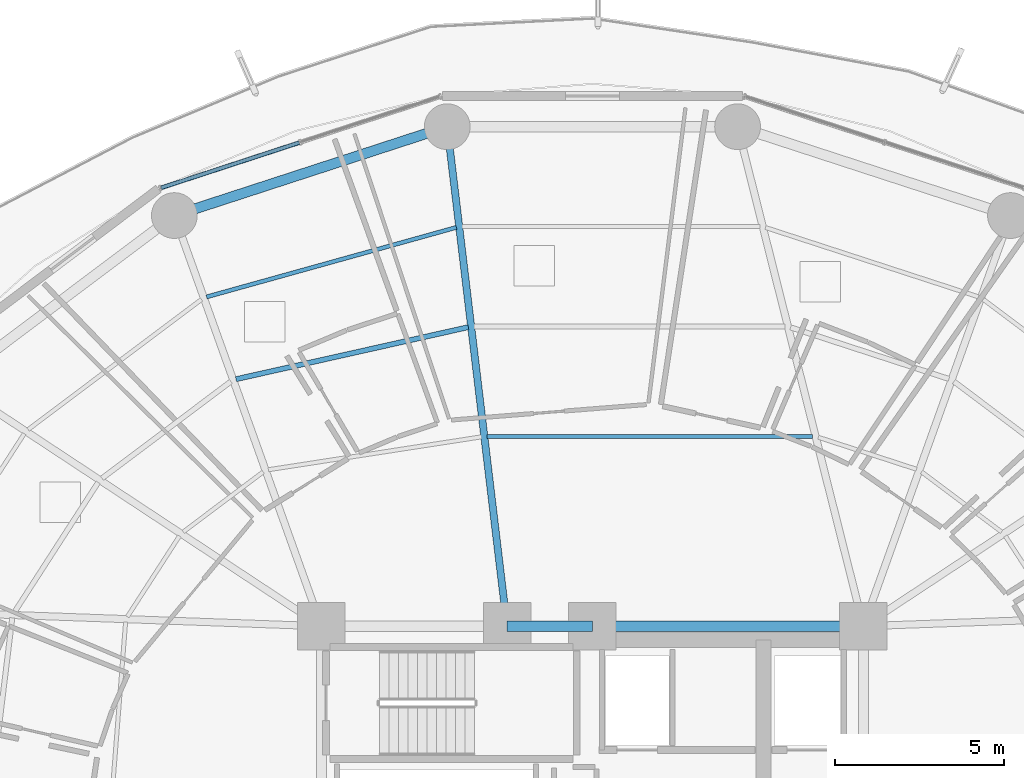
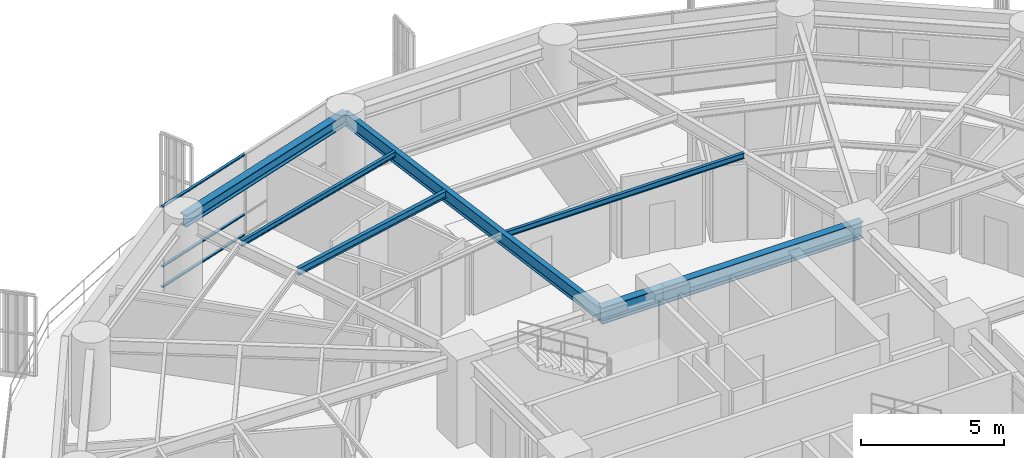
# One storey, part 18 of 33: 7 beams, 3 members, 1 element without a shape of its own.
"""IFC4 building model written with IfcOpenShell, lengths in metres."""

from ifc_helpers import new_model, si_unit, direction, frame, origin, origin_2d, place, context, subcontext, project, spatial, hollow_rectangle, i_section, extrude, material, layer, layer_set, material_profile, profile_set, type_object, element, aggregate, save


model = new_model("IFC4")

# Units and contexts
model_context = context("Model", 3, precision=1e-05, world=origin(), true_north=direction((0.0, 1.0)))
body_context = subcontext(model_context, "Body", "Model", "MODEL_VIEW")
ifc_project = project(units=[si_unit("LENGTHUNIT", "METRE"), si_unit("AREAUNIT", "SQUARE_METRE"), si_unit("VOLUMEUNIT", "CUBIC_METRE"), si_unit("PLANEANGLEUNIT", "RADIAN"), si_unit("MASSUNIT", "GRAM", prefix="KILO")], contexts=[model_context])

# Site, building, storey
site_placement = place(None, origin())
site = spatial("IfcSite", under=ifc_project, at=site_placement, CompositionType="ELEMENT")
building_placement = place(site_placement, origin())
building = spatial("IfcBuilding", under=site, at=building_placement, Name="Kelanora Arch Commons", CompositionType="ELEMENT")
storey_placement = place(building_placement, frame((0.0, 0.0, 83.85009765625)))
storey = spatial("IfcBuildingStorey", under=building, at=storey_placement, Name="L21", CompositionType="ELEMENT", Elevation=83.85009765625)

# Beams
ifc_material_1 = material(Name="Steel S355", Category="steel")
ifc_material_profile_1 = material_profile(ifc_material_1, i_section(OverallWidth=0.300048828125, OverallDepth=0.699951171875, WebThickness=0.01708984375, FlangeThickness=0.031982421875, FilletRadius=0.027099609375, at=origin_2d()), Name="HEB700")
ifc_profile_set_1 = profile_set([ifc_material_profile_1], Name="Steel S355")
beam_type_1 = type_object("IfcBeamType", Name="BM-CORE-HDR", PredefinedType="BEAM", material=ifc_profile_set_1)
beam_1_placement = place(storey_placement, frame((82.0, 65.0, 3.139892578125), z_axis=(-1.0, 0.0, 0.0), x_axis=(0.0, -1.0, 0.0)))
element("IfcBeam", 1, at=beam_1_placement, inside=storey, type_object=beam_type_1, Name="Core Header Beam 05 L21", PredefinedType="BEAM", context=body_context, shape_type="SweptSolid", body=[
    extrude(i_section(OverallWidth=0.300048828125, OverallDepth=0.699951171875, WebThickness=0.01708984375, FlangeThickness=0.031982421875, FilletRadius=0.027099609375, at=origin_2d()), origin(), (0.0, 0.0, 1.0), 8.0),
])
beam_2_placement = place(storey_placement, frame((74.0, 65.0, 3.139892578125), z_axis=(-1.0, 0.0, 0.0), x_axis=(0.0, -1.0, 0.0)))
element("IfcBeam", 2, at=beam_2_placement, inside=storey, type_object=beam_type_1, Name="Core Header Beam 06 L21", PredefinedType="BEAM", context=body_context, shape_type="SweptSolid", body=[
    extrude(i_section(OverallWidth=0.300048828125, OverallDepth=0.699951171875, WebThickness=0.01708984375, FlangeThickness=0.031982421875, FilletRadius=0.027099609375, at=origin_2d()), origin(), (0.0, 0.0, 1.0), 2.52001953125),
])
ifc_material_profile_2 = material_profile(ifc_material_1, i_section(OverallWidth=0.14990234375, OverallDepth=0.300048828125, WebThickness=0.007080078125, FlangeThickness=0.0107421875, FilletRadius=0.014892578125, at=origin_2d()), Name="IPE300")
ifc_profile_set_2 = profile_set([ifc_material_profile_2], Name="Steel S355")
beam_type_2 = type_object("IfcBeamType", Name="BM-JST-01", PredefinedType="JOIST", material=ifc_profile_set_2)
beam_3_placement = place(storey_placement, frame((70.337646484375, 73.828125, 3.33984375), z_axis=(-0.975817048791, -0.218588854449, 0.0), x_axis=(0.218588854449, -0.975817048791, 0.0)))
element("IfcBeam", 3, at=beam_3_placement, inside=storey, type_object=beam_type_2, Name="Secondary Chord Joist BJB-10 L21", PredefinedType="JOIST", context=body_context, shape_type="SweptSolid", body=[
    extrude(i_section(OverallWidth=0.14990234375, OverallDepth=0.300048828125, WebThickness=0.007080078125, FlangeThickness=0.0107421875, FilletRadius=0.014892578125, at=origin_2d()), origin(), (0.0, 0.0, 1.0), 7.028564453125),
])
ifc_material_profile_3 = material_profile(ifc_material_1, i_section(OverallWidth=0.1201171875, OverallDepth=0.239990234375, WebThickness=0.006103515625, FlangeThickness=0.009765625, FilletRadius=0.014892578125, at=origin_2d()), Name="IPE240")
ifc_profile_set_3 = profile_set([ifc_material_profile_3], Name="Steel S355")
beam_type_3 = type_object("IfcBeamType", Name="BM-JST-02", PredefinedType="JOIST", material=ifc_profile_set_3)
beam_4_placement = place(storey_placement, frame((80.50341796875, 70.602783203125, 3.369873046875), z_axis=(-1.0, 0.0, 0.0), x_axis=(0.0, -1.0, 0.0)))
element("IfcBeam", 4, at=beam_4_placement, inside=storey, type_object=beam_type_3, Name="Secondary Chord Joist BJA-08 L21", PredefinedType="JOIST", context=body_context, shape_type="SweptSolid", body=[
    extrude(i_section(OverallWidth=0.1201171875, OverallDepth=0.239990234375, WebThickness=0.006103515625, FlangeThickness=0.009765625, FilletRadius=0.014892578125, at=origin_2d()), origin(), (0.0, 0.0, 1.0), 9.609375),
])
beam_5_placement = place(storey_placement, frame((69.985595703125, 76.77294921875, 3.369873046875), z_axis=(-0.963385760896, -0.268119144603, 0.0), x_axis=(0.268119144603, -0.963385760896, 0.0)))
element("IfcBeam", 5, at=beam_5_placement, inside=storey, type_object=beam_type_3, Name="Secondary Chord Joist BJC-10 L21", PredefinedType="JOIST", context=body_context, shape_type="SweptSolid", body=[
    extrude(i_section(OverallWidth=0.1201171875, OverallDepth=0.239990234375, WebThickness=0.006103515625, FlangeThickness=0.009765625, FilletRadius=0.014892578125, at=origin_2d()), origin(), (0.0, 0.0, 1.0), 7.656005859375),
])
ifc_material_profile_4 = material_profile(ifc_material_1, i_section(OverallWidth=0.2099609375, OverallDepth=0.550048828125, WebThickness=0.010986328125, FlangeThickness=0.01708984375, FilletRadius=0.02392578125, at=origin_2d()), Name="IPE550")
ifc_profile_set_4 = profile_set([ifc_material_profile_4], Name="Steel S355")
beam_type_4 = type_object("IfcBeamType", Name="BM-RAD-Z2", PredefinedType="BEAM", material=ifc_profile_set_4)
beam_6_placement = place(storey_placement, frame((71.47998046875, 65.0, 3.21484375), z_axis=(-0.118897572414, 0.992906524943, 0.0), x_axis=(-0.992906524943, -0.118897572414, 0.0)))
element("IfcBeam", 6, at=beam_6_placement, inside=storey, type_object=beam_type_4, Name="Radial Floor Girder BR-10 L21", PredefinedType="BEAM", context=body_context, shape_type="SweptSolid", body=[
    extrude(i_section(OverallWidth=0.2099609375, OverallDepth=0.550048828125, WebThickness=0.010986328125, FlangeThickness=0.01708984375, FilletRadius=0.02392578125, at=origin_2d()), origin(), (0.0, 0.0, 1.0), 14.849853515625),
])
ifc_material_profile_5 = material_profile(ifc_material_1, i_section(OverallWidth=0.300048828125, OverallDepth=0.5, WebThickness=0.014404296875, FlangeThickness=0.028076171875, FilletRadius=0.027099609375, at=origin_2d()), Name="HEB500")
ifc_profile_set_5 = profile_set([ifc_material_profile_5], Name="Steel S355")
beam_type_5 = type_object("IfcBeamType", Name="BM-SPN-Z2", PredefinedType="SPANDREL", material=ifc_profile_set_5)
beam_7_placement = place(storey_placement, frame((69.71435546875, 79.74462890625, 3.239990234375), z_axis=(-0.950856631974, -0.309631499418, 0.0), x_axis=(0.309631499418, -0.950856631974, 0.0)))
element("IfcBeam", 7, at=beam_7_placement, inside=storey, type_object=beam_type_5, Name="Perimeter Spandrel Beam BS-10 L21", PredefinedType="SPANDREL", context=body_context, shape_type="SweptSolid", body=[
    extrude(i_section(OverallWidth=0.300048828125, OverallDepth=0.5, WebThickness=0.014404296875, FlangeThickness=0.028076171875, FilletRadius=0.027099609375, at=origin_2d()), origin(), (0.0, 0.0, 1.0), 8.470703125),
])

# Curtain wall, members
ifc_material_2 = material(Name="Terracotta ceramic-fritted low-E glass and aluminium", Category="masonry")
ifc_layer = layer(ifc_material_2, 0.159912109375)
ifc_layer_set = layer_set([ifc_layer], Name="Terracotta ceramic-fritted low-E glass and aluminium")
curtain_wall_type = type_object("IfcCurtainWallType", Name="CW-SYS-01", PredefinedType="NOTDEFINED", material=ifc_layer_set)
curtain_wall_placement = place(storey_placement, origin())
curtain_wall = element("IfcCurtainWall", 8, at=curtain_wall_placement, inside=storey, type_object=curtain_wall_type, Name="Unitised Curtain Wall L21-B05", PredefinedType="NOTDEFINED")
ifc_material_3 = material(Name="Powder-coated aluminium terracotta", Category="masonry")
ifc_material_profile_6 = material_profile(ifc_material_3, hollow_rectangle(XDim=0.1201171875, YDim=0.06005859375, WallThickness=0.0048828125, InnerFilletRadius=0.0048828125, OuterFilletRadius=0.010009765625, at=origin_2d()), Name="CWT120x60")
ifc_profile_set_6 = profile_set([ifc_material_profile_6], Name="Powder-coated aluminium terracotta")
member_type = type_object("IfcMemberType", Name="CWT-STD", PredefinedType="USERDEFINED", material=ifc_profile_set_6)
member_1_placement = place(storey_placement, frame((65.348876953125, 79.275390625, 0.02978515625), z_axis=(-0.950466230394, -0.310827838008, 0.0), x_axis=(0.310827838008, -0.950466230394, 0.0)))
member_1 = element("IfcMember", 9, at=member_1_placement, type_object=member_type, Name="CW-01 transom 2.1", ObjectType="TRANSOM", PredefinedType="USERDEFINED", context=body_context, shape_type="SweptSolid", body=[
    extrude(hollow_rectangle(XDim=0.1201171875, YDim=0.06005859375, WallThickness=0.0048828125, InnerFilletRadius=0.0048828125, OuterFilletRadius=0.010009765625, at=origin_2d()), origin(), (0.0, 0.0, 1.0), 4.2900390625),
])
member_2_placement = place(storey_placement, frame((65.348876953125, 79.275390625, 0.89990234375), z_axis=(-0.950466230394, -0.310827838008, 0.0), x_axis=(0.310827838008, -0.950466230394, 0.0)))
member_2 = element("IfcMember", 10, at=member_2_placement, type_object=member_type, Name="CW-01 transom 2.2", ObjectType="TRANSOM", PredefinedType="USERDEFINED", context=body_context, shape_type="SweptSolid", body=[
    extrude(hollow_rectangle(XDim=0.1201171875, YDim=0.06005859375, WallThickness=0.0048828125, InnerFilletRadius=0.0048828125, OuterFilletRadius=0.010009765625, at=origin_2d()), origin(), (0.0, 0.0, 1.0), 4.2900390625),
])
member_3_placement = place(storey_placement, frame((65.348876953125, 79.275390625, 3.44482421875), z_axis=(-0.950466230394, -0.310827838008, 0.0), x_axis=(0.310827838008, -0.950466230394, 0.0)))
member_3 = element("IfcMember", 11, at=member_3_placement, type_object=member_type, Name="CW-01 transom 2.3", ObjectType="TRANSOM", PredefinedType="USERDEFINED", context=body_context, shape_type="SweptSolid", body=[
    extrude(hollow_rectangle(XDim=0.1201171875, YDim=0.06005859375, WallThickness=0.0048828125, InnerFilletRadius=0.0048828125, OuterFilletRadius=0.010009765625, at=origin_2d()), origin(), (0.0, 0.0, 1.0), 4.2900390625),
])
aggregate(curtain_wall, [member_1, member_2, member_3])

save(model, "model.ifc")
